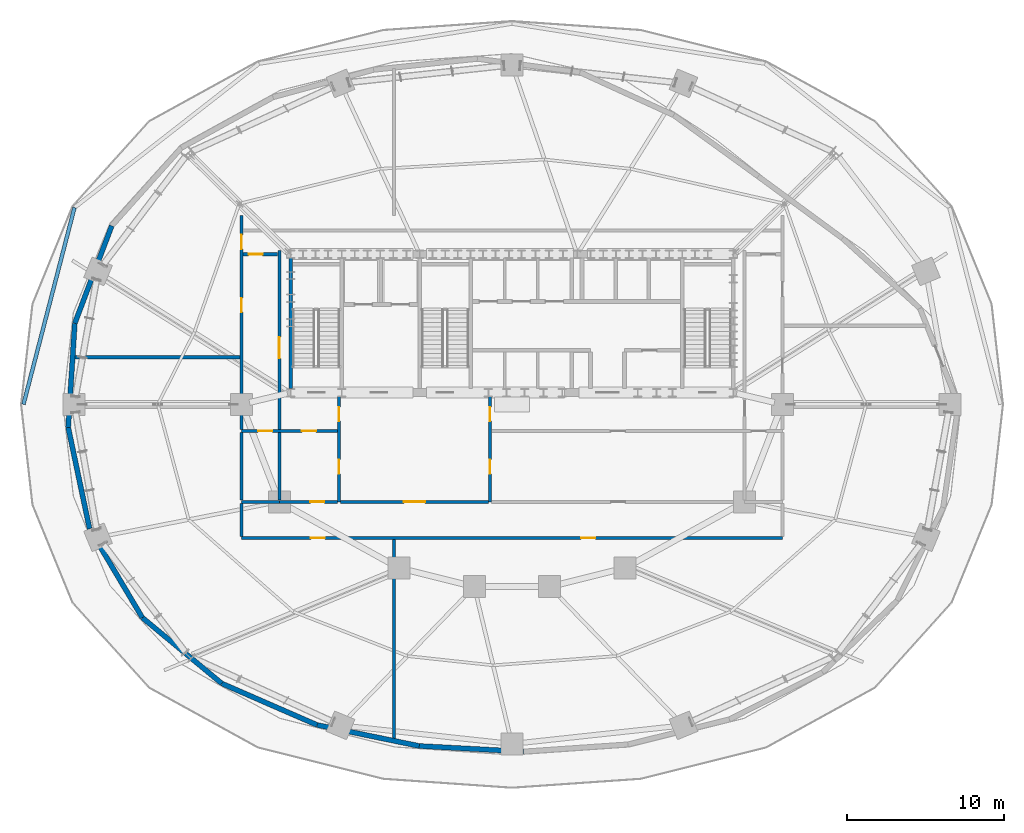
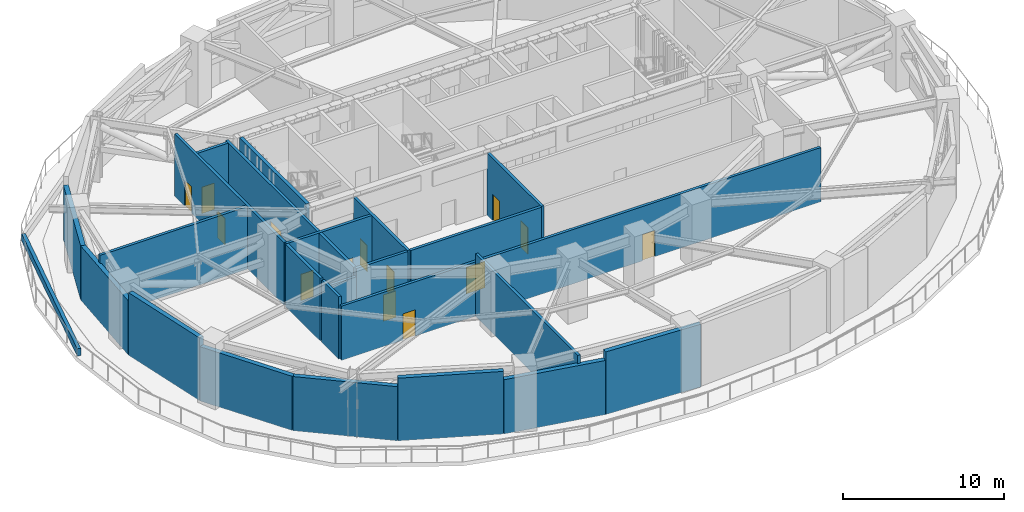
# One storey, part 14 of 18: 25 walls, 14 doors, 14 openings.
"""IFC4 building model written with IfcOpenShell, lengths in metres."""

import ifcopenshell
import ifcopenshell.guid

model = None  # the IFC model being written
_history = None  # IfcOwnerHistory: only IFC2X3 demands one
_inside = {}  # id of a spatial element -> (the spatial element, [elements in it])
_under = {}  # id of a project, library or spatial element -> (it, [spatial elements below it])
_declared = {}  # id of a project -> (the project, [libraries it declares])
_typed = {}  # id of a type object -> (the type object, [elements of that type])
_made_of = {}  # id of a material, layer set ... -> (it, [elements and type objects made of it])


def new_model(schema):
    """Start an empty IFC model of exactly this schema.

    Asked for "IFC4X3", IfcOpenShell would pick the latest addendum, in which some entities
    have other attributes; the version numbers below select the first issue.
    IFC2X3 requires an IfcOwnerHistory on every rooted entity: one is made here for all.
    """
    global model, _history
    if schema == "IFC4X3":
        model = ifcopenshell.file(schema_version=(4, 3, 0, 0))
    else:
        model = ifcopenshell.file(schema=schema)
    _inside.clear()
    _under.clear()
    _declared.clear()
    _typed.clear()
    _made_of.clear()
    _history = None
    if model.schema == "IFC2X3":
        org = make("IfcOrganization", Name="unknown")
        user = make(
            "IfcPersonAndOrganization",
            ThePerson=make("IfcPerson", FamilyName="unknown"),
            TheOrganization=org,
        )
        app = make(
            "IfcApplication",
            ApplicationDeveloper=org,
            Version="unknown",
            ApplicationFullName="unknown",
            ApplicationIdentifier="unknown",
        )
        _history = make(
            "IfcOwnerHistory",
            OwningUser=user,
            OwningApplication=app,
            ChangeAction="ADDED",
            CreationDate=0,
        )
    return model


def make(cls, **values):
    """One entity of the class cls with the attributes given. An attribute that is None is left unset."""
    return model.create_entity(
        cls, **{name: value for name, value in values.items() if value is not None}
    )


def rooted(cls, **values):
    """An entity with a GlobalId (a new one), such as an element, a storey or a relation."""
    return make(cls, GlobalId=ifcopenshell.guid.new(), OwnerHistory=_history, **values)


def si_unit(unit_type, name, prefix=None):
    """IfcSIUnit, for example si_unit("LENGTHUNIT", "METRE", prefix="MILLI")."""
    return make("IfcSIUnit", UnitType=unit_type, Prefix=prefix, Name=name)


def assignment(units):
    """IfcUnitAssignment: the units of a project."""
    return None if units is None else make("IfcUnitAssignment", Units=units)


def point(xyz):
    """IfcCartesianPoint."""
    return None if xyz is None else make("IfcCartesianPoint", Coordinates=xyz)


def direction(xyz):
    """IfcDirection."""
    return None if xyz is None else make("IfcDirection", DirectionRatios=xyz)


def frame(location, z_axis=None, x_axis=None):
    """IfcAxis2Placement3D, a coordinate frame: its origin and axes. An axis left out is left unset."""
    return make(
        "IfcAxis2Placement3D",
        Location=point(location),
        Axis=direction(z_axis),
        RefDirection=direction(x_axis),
    )


def frame_2d(location, x_axis=None):
    """IfcAxis2Placement2D, a coordinate frame in the plane: its origin and x axis."""
    return make(
        "IfcAxis2Placement2D", Location=point(location), RefDirection=direction(x_axis)
    )


def origin():
    """The frame at (0, 0, 0) with its axes left unset."""
    return frame((0.0, 0.0, 0.0))


def place(relative_to, where):
    """IfcLocalPlacement: puts the frame where relative to a parent placement (None: the world)."""
    return make(
        "IfcLocalPlacement", PlacementRelTo=relative_to, RelativePlacement=where
    )


def context(
    kind, dimensions, precision=None, world=None, true_north=None, identifier=None
):
    """IfcGeometricRepresentationContext, for example the 3D "Model" context."""
    return make(
        "IfcGeometricRepresentationContext",
        ContextIdentifier=identifier,
        ContextType=kind,
        CoordinateSpaceDimension=dimensions,
        Precision=precision,
        WorldCoordinateSystem=world,
        TrueNorth=true_north,
    )


def subcontext(parent, identifier, kind, view, scale=None):
    """IfcGeometricRepresentationSubContext, for example "Body" below "Model"."""
    return make(
        "IfcGeometricRepresentationSubContext",
        ContextIdentifier=identifier,
        ContextType=kind,
        ParentContext=parent,
        TargetScale=scale,
        TargetView=view,
    )


def project(units=None, contexts=None):
    """IfcProject with its units and contexts."""
    return rooted(
        "IfcProject",
        Name="project",
        RepresentationContexts=contexts,
        UnitsInContext=assignment(units),
    )


def spatial(cls, under=None, at=None, **own):
    """A site, building, storey or space (cls), placed at a placement, below another one or the project."""
    s = rooted(cls, ObjectPlacement=at, **own)
    if under is not None:
        _under.setdefault(under.id(), (under, []))[1].append(s)
    return s


def profile(cls, at=None, kind="AREA", **sizes):
    """A parametric profile (cls). Its sizes go by their IFC names, for example OverallWidth=200.0."""
    return make(cls, ProfileType=kind, Position=at, **sizes)


def rectangle(**sizes):
    """IfcRectangleProfileDef."""
    return profile("IfcRectangleProfileDef", **sizes)


def extrude(swept, where, along, depth):
    """IfcExtrudedAreaSolid: the profile swept, set in the frame where, extruded along a direction by depth."""
    return make(
        "IfcExtrudedAreaSolid",
        SweptArea=swept,
        Position=where,
        ExtrudedDirection=direction(along),
        Depth=depth,
    )


def shape(context_of_items, identifier, shape_type, items):
    """IfcShapeRepresentation: the items that make up one representation, for example the "Body"."""
    return make(
        "IfcShapeRepresentation",
        ContextOfItems=context_of_items,
        RepresentationIdentifier=identifier,
        RepresentationType=shape_type,
        Items=items,
    )


def material(Name=None, Category=None):
    """IfcMaterial."""
    return make("IfcMaterial", Name=Name, Category=Category)


def layer(
    of_material, thickness, ventilated=None, Name=None, Category=None, Priority=None
):
    """IfcMaterialLayer: one layer of a wall or slab, of a material (None: an air gap)."""
    return make(
        "IfcMaterialLayer",
        Material=of_material,
        LayerThickness=thickness,
        IsVentilated=ventilated,
        Name=Name,
        Category=Category,
        Priority=Priority,
    )


def layer_set(layers, Name=None):
    """IfcMaterialLayerSet."""
    return make("IfcMaterialLayerSet", MaterialLayers=layers, LayerSetName=Name)


def made_of(thing, what):
    """Note that an element or type object is made of a material, layer set ...; save() writes the relation."""
    if what is not None:
        _made_of.setdefault(what.id(), (what, []))[1].append(thing)
    return thing


def type_object(cls, material=None, **own):
    """A type object (cls), such as IfcWallType, which elements share."""
    return made_of(rooted(cls, **own), material)


def element(
    cls,
    number,
    at=None,
    inside=None,
    cuts=None,
    type_object=None,
    material=None,
    context=None,
    identifier="Body",
    shape_type=None,
    held_by="IfcProductDefinitionShape",
    body=None,
    shapes=None,
    **own,
):
    """One element of the class cls, such as IfcWall. Its Tag is "e" and its number.

    at: its placement. inside: the storey or other place that contains it. cuts: it is an
    opening in that element (IfcRelVoidsElement). A single representation is given by context,
    identifier, shape_type and body (its items); several are given by shapes. held_by: the class
    of the entity that holds the representations. save() writes the other relations.
    """
    e = rooted(cls, Tag="e%d" % number, ObjectPlacement=at, **own)
    if body is not None:
        shapes = [shape(context, identifier, shape_type, body)]
    if shapes is not None:
        e.Representation = make(held_by, Representations=shapes)
    if inside is not None:
        _inside.setdefault(inside.id(), (inside, []))[1].append(e)
    if cuts is not None:
        rooted(
            "IfcRelVoidsElement", RelatingBuildingElement=cuts, RelatedOpeningElement=e
        )
    if type_object is not None:
        _typed.setdefault(type_object.id(), (type_object, []))[1].append(e)
    return made_of(e, material)


def fill(opening, filler):
    """IfcRelFillsElement: the door or window that sits in an opening."""
    return rooted(
        "IfcRelFillsElement",
        RelatingOpeningElement=opening,
        RelatedBuildingElement=filler,
    )


def aggregate(whole, parts):
    """IfcRelAggregates: a whole, such as a stair, and the parts it consists of."""
    return rooted("IfcRelAggregates", RelatingObject=whole, RelatedObjects=parts)


def save(model, path):
    """Write the relations noted so far, then the file.

    IfcRelAggregates (storeys below a building ...), IfcRelContainedInSpatialStructure (elements
    in a storey), IfcRelDefinesByType, IfcRelAssociatesMaterial and IfcRelDeclares: one each for
    every whole, place, type object, material and project.
    """
    for whole, parts in _under.values():
        aggregate(whole, parts)
    for where, things in _inside.values():
        rooted(
            "IfcRelContainedInSpatialStructure",
            RelatedElements=things,
            RelatingStructure=where,
        )
    for kind, things in _typed.values():
        rooted("IfcRelDefinesByType", RelatedObjects=things, RelatingType=kind)
    for what, things in _made_of.values():
        rooted("IfcRelAssociatesMaterial", RelatedObjects=things, RelatingMaterial=what)
    for by, libraries in _declared.values():
        rooted("IfcRelDeclares", RelatingContext=by, RelatedDefinitions=libraries)
    model.write(path)


model = new_model("IFC4")

# Units and contexts
model_context = context("Model", 3, precision=1e-05, world=origin(), true_north=direction((0.0, 1.0)))
body_context = subcontext(model_context, "Body", "Model", "MODEL_VIEW")
ifc_project = project(units=[si_unit("LENGTHUNIT", "METRE"), si_unit("AREAUNIT", "SQUARE_METRE"), si_unit("VOLUMEUNIT", "CUBIC_METRE"), si_unit("PLANEANGLEUNIT", "RADIAN"), si_unit("MASSUNIT", "GRAM", prefix="KILO")], contexts=[model_context])

# Site, building, storey
site_placement = place(None, origin())
site = spatial("IfcSite", under=ifc_project, at=site_placement, CompositionType="ELEMENT")
building_placement = place(site_placement, origin())
building = spatial("IfcBuilding", under=site, at=building_placement, Name="Haldorwick Loom Tower", CompositionType="ELEMENT")
storey_placement = place(building_placement, frame((0.0, 0.0, 76.800048828125)))
storey = spatial("IfcBuildingStorey", under=building, at=storey_placement, Name="L20", CompositionType="ELEMENT", Elevation=76.800048828125)

# Walls
ifc_material_1 = material(Name="Pressed Clay Face Brick and Insulated Masonry Backup Assembly", Category="masonry")
ifc_layer_1 = layer(ifc_material_1, 0.320068359375, Name="Pressed Clay Face Brick and Insulated Masonry Backup Assembly", Category="masonry")
ifc_layer_set_1 = layer_set([ifc_layer_1], Name="Pressed Clay Face Brick and Insulated Masonry Backup Assembly")
wall_type_1 = type_object("IfcWallType", Name="ARC-WL-EXT320", PredefinedType="STANDARD", material=ifc_layer_set_1)
wall_1_placement = place(storey_placement, frame((10.5390625, 37.3603515625, 0.0), z_axis=(0.0, 0.0, 1.0), x_axis=(-0.354172963596, -0.935179935551, 0.0)))
element("IfcWall", 1, at=wall_1_placement, inside=storey, type_object=wall_type_1, Name="L20 Brick Pier and Spandrel Wall 11", PredefinedType="STANDARD", context=body_context, shape_type="SweptSolid", body=[
    extrude(rectangle(XDim=6.637451171875, YDim=0.320068359375, at=frame_2d((3.31884765625, 0.0))), origin(), (0.0, 0.0, 1.0), 4.118896484375),
])
wall_2_placement = place(storey_placement, frame((8.188232421875, 31.153076171875, 0.0), z_axis=(0.0, 0.0, 1.0), x_axis=(-0.063185180171, -0.998001820142, 0.0)))
element("IfcWall", 2, at=wall_2_placement, inside=storey, type_object=wall_type_1, Name="L20 Brick Pier and Spandrel Wall 12", PredefinedType="STANDARD", context=body_context, shape_type="SweptSolid", body=[
    extrude(rectangle(XDim=6.63037109375, YDim=0.320068359375, at=frame_2d((3.315185546875, 0.0))), origin(), (0.0, 0.0, 1.0), 4.118896484375),
])
wall_3_placement = place(storey_placement, frame((7.769287109375, 24.535888671875, 0.0), z_axis=(0.0, 0.0, 1.0), x_axis=(0.206394338067, -0.978468894352, 0.0)))
element("IfcWall", 3, at=wall_3_placement, inside=storey, type_object=wall_type_1, Name="L20 Brick Pier and Spandrel Wall 13", PredefinedType="STANDARD", context=body_context, shape_type="SweptSolid", body=[
    extrude(rectangle(XDim=6.602783203125, YDim=0.320068359375, at=frame_2d((3.30126953125, 0.0))), origin(), (0.0, 0.0, 1.0), 4.760009765625),
])
wall_4_placement = place(storey_placement, frame((9.132080078125, 18.0751953125, 0.0), z_axis=(0.0, 0.0, 1.0), x_axis=(0.510885960815, -0.85964849505, 0.0)))
element("IfcWall", 4, at=wall_4_placement, inside=storey, type_object=wall_type_1, Name="L20 Brick Pier and Spandrel Wall 14", PredefinedType="STANDARD", context=body_context, shape_type="SweptSolid", body=[
    extrude(rectangle(XDim=6.562744140625, YDim=0.320068359375, at=frame_2d((3.28125, 0.0))), origin(), (0.0, 0.0, 1.0), 4.118896484375),
])
wall_5_placement = place(storey_placement, frame((12.48486328125, 12.43359375, 0.0), z_axis=(0.0, 0.0, 1.0), x_axis=(0.770115987606, -0.637903884323, 0.0)))
element("IfcWall", 5, at=wall_5_placement, inside=storey, type_object=wall_type_1, Name="L20 Brick Pier and Spandrel Wall 15", PredefinedType="STANDARD", context=body_context, shape_type="SweptSolid", body=[
    extrude(rectangle(XDim=6.568359375, YDim=0.320068359375, at=frame_2d((3.2841796875, 0.0))), origin(), (0.0, 0.0, 1.0), 4.118896484375),
])
wall_6_placement = place(storey_placement, frame((17.543212890625, 8.24365234375, 0.0), z_axis=(0.0, 0.0, 1.0), x_axis=(0.916831962621, -0.399273280243, 0.0)))
element("IfcWall", 6, at=wall_6_placement, inside=storey, type_object=wall_type_1, Name="L20 Brick Pier and Spandrel Wall 16", PredefinedType="STANDARD", context=body_context, shape_type="SweptSolid", body=[
    extrude(rectangle(XDim=6.60693359375, YDim=0.320068359375, at=frame_2d((3.303466796875, 0.0))), origin(), (0.0, 0.0, 1.0), 4.760009765625),
])
wall_7_placement = place(storey_placement, frame((23.6005859375, 5.605712890625, 0.0), z_axis=(0.0, 0.0, 1.0), x_axis=(0.979446782517, -0.201702752132, 0.0)))
element("IfcWall", 7, at=wall_7_placement, inside=storey, type_object=wall_type_1, Name="L20 Brick Pier and Spandrel Wall 17", PredefinedType="STANDARD", context=body_context, shape_type="SweptSolid", body=[
    extrude(rectangle(XDim=6.635498046875, YDim=0.320068359375, at=frame_2d((3.31787109375, 0.0))), origin(), (0.0, 0.0, 1.0), 4.118896484375),
])
wall_8_placement = place(storey_placement, frame((30.099609375, 4.267333984375, 0.0), z_axis=(0.0, 0.0, 1.0), x_axis=(0.998573525371, -0.05339395497, 0.0)))
element("IfcWall", 8, at=wall_8_placement, inside=storey, type_object=wall_type_1, Name="L20 Brick Pier and Spandrel Wall 18", PredefinedType="STANDARD", context=body_context, shape_type="SweptSolid", body=[
    extrude(rectangle(XDim=6.643798828125, YDim=0.320068359375, at=frame_2d((3.32177734375, 0.0))), origin(), (0.0, 0.0, 1.0), 4.760009765625),
])

# Wall, openings, doors
ifc_material_2 = material(Name="Fire-Rated Type X Gypsum Stud Assembly EI 120")
ifc_layer_2 = layer(ifc_material_2, 0.199951171875, Name="Fire-Rated Type X Gypsum Stud Assembly EI 120")
ifc_layer_set_2 = layer_set([ifc_layer_2], Name="Fire-Rated Type X Gypsum Stud Assembly EI 120")
wall_type_2 = type_object("IfcWallType", Name="ARC-WL-FIRE200", PredefinedType="PARTITIONING", material=ifc_layer_set_2)
wall_9_placement = place(storey_placement, frame((25.0, 19.800048828125, 0.0), z_axis=(0.0, 0.0, 1.0), x_axis=(0.0, 1.0, 0.0)))
wall_9 = element("IfcWall", 9, at=wall_9_placement, inside=storey, type_object=wall_type_2, Name="L20 Interior Partition L20-REF-W", PredefinedType="PARTITIONING", context=body_context, shape_type="SweptSolid", body=[
    extrude(rectangle(XDim=6.697021484375, YDim=0.199951171875, at=frame_2d((3.3486328125, 0.0))), origin(), (0.0, 0.0, 1.0), 4.744873046875),
])
opening_1_placement = place(wall_9_placement, frame((5.130859375, 0.0, 0.0)))
opening_1 = element("IfcOpeningElement", 10, at=opening_1_placement, cuts=wall_9, Name="Opening D-FD60A", PredefinedType="OPENING", context=body_context, shape_type="SweptSolid", body=[
    extrude(rectangle(XDim=0.89990234375, YDim=2.0, at=frame_2d((0.449951171875, 1.0))), frame((0.0, 0.10986328125, 0.0), z_axis=(0.0, -1.0, 0.0), x_axis=(1.0, 0.0, 0.0)), (0.0, 0.0, 1.0), 0.219970703125),
])
opening_2_placement = place(wall_9_placement, frame((1.7822265625, 0.0, 0.0)))
opening_2 = element("IfcOpeningElement", 11, at=opening_2_placement, cuts=wall_9, Name="Opening D-FD60A", PredefinedType="OPENING", context=body_context, shape_type="SweptSolid", body=[
    extrude(rectangle(XDim=0.89990234375, YDim=2.0, at=frame_2d((0.449951171875, 1.0))), frame((0.0, 0.10986328125, 0.0), z_axis=(0.0, -1.0, 0.0), x_axis=(1.0, 0.0, 0.0)), (0.0, 0.0, 1.0), 0.219970703125),
])
ifc_material_3 = material(Name="Hollow Steel Fire Door Assembly", Category="steel")
door_type_1 = type_object("IfcDoorType", Name="ARC-DR-FD60-90", OperationType="NOTDEFINED", PredefinedType="DOOR", material=ifc_material_3)
door_1_placement = place(opening_1_placement, origin())
door_1 = element("IfcDoor", 12, at=door_1_placement, inside=storey, type_object=door_type_1, Name="L20 West Refuge Vestibule to Area of Refuge Door", OperationType="SINGLE_SWING_RIGHT", OverallHeight=2.0, OverallWidth=0.89990234375, PredefinedType="DOOR", context=body_context, shape_type="SweptSolid", body=[
    extrude(rectangle(XDim=0.89990234375, YDim=2.0, at=frame_2d((0.449951171875, 1.0))), frame((0.0, 0.02490234375, 0.0), z_axis=(0.0, -1.0, 0.0), x_axis=(1.0, 0.0, 0.0)), (0.0, 0.0, 1.0), 0.050048828125),
])
fill(opening_1, door_1)
door_2_placement = place(opening_2_placement, frame((0.89990234375, 0.0, 0.0), z_axis=(0.0, 0.0, 1.0), x_axis=(-1.0, 0.0, 0.0)))
door_2 = element("IfcDoor", 13, at=door_2_placement, inside=storey, type_object=door_type_1, Name="L20 Mechanical Equipment Plant 5 to Area of Refuge Door", OperationType="SINGLE_SWING_RIGHT", OverallHeight=2.0, OverallWidth=0.89990234375, PredefinedType="DOOR", context=body_context, shape_type="SweptSolid", body=[
    extrude(rectangle(XDim=0.89990234375, YDim=2.0, at=frame_2d((0.449951171875, 1.0))), frame((0.0, 0.02490234375, 0.0), z_axis=(0.0, -1.0, 0.0), x_axis=(1.0, 0.0, 0.0)), (0.0, 0.0, 1.0), 0.050048828125),
])
fill(opening_2, door_2)

wall_10_placement = place(storey_placement, frame((34.60009765625, 19.800048828125, 0.0), z_axis=(0.0, 0.0, 1.0), x_axis=(0.0, 1.0, 0.0)))
wall_10 = element("IfcWall", 14, at=wall_10_placement, inside=storey, type_object=wall_type_2, Name="L20 Interior Partition L20-REF-E", PredefinedType="PARTITIONING", context=body_context, shape_type="SweptSolid", body=[
    extrude(rectangle(XDim=6.697021484375, YDim=0.199951171875, at=frame_2d((3.3486328125, 0.0))), origin(), (0.0, 0.0, 1.0), 4.744873046875),
])
opening_3_placement = place(wall_10_placement, frame((5.130859375, 0.0, 0.0)))
opening_3 = element("IfcOpeningElement", 15, at=opening_3_placement, cuts=wall_10, Name="Opening D-FD60A", PredefinedType="OPENING", context=body_context, shape_type="SweptSolid", body=[
    extrude(rectangle(XDim=0.89990234375, YDim=2.0, at=frame_2d((0.449951171875, 1.0))), frame((0.0, 0.10986328125, 0.0), z_axis=(0.0, -1.0, 0.0), x_axis=(1.0, 0.0, 0.0)), (0.0, 0.0, 1.0), 0.219970703125),
])
opening_4_placement = place(wall_10_placement, frame((1.7822265625, 0.0, 0.0)))
opening_4 = element("IfcOpeningElement", 16, at=opening_4_placement, cuts=wall_10, Name="Opening D-FD60A", PredefinedType="OPENING", context=body_context, shape_type="SweptSolid", body=[
    extrude(rectangle(XDim=0.89990234375, YDim=2.0, at=frame_2d((0.449951171875, 1.0))), frame((0.0, 0.10986328125, 0.0), z_axis=(0.0, -1.0, 0.0), x_axis=(1.0, 0.0, 0.0)), (0.0, 0.0, 1.0), 0.219970703125),
])
door_3_placement = place(opening_3_placement, origin())
door_3 = element("IfcDoor", 17, at=door_3_placement, inside=storey, type_object=door_type_1, Name="L20 Area of Refuge to East Plant Exit Corridor Door", OperationType="SINGLE_SWING_LEFT", OverallHeight=2.0, OverallWidth=0.89990234375, PredefinedType="DOOR", context=body_context, shape_type="SweptSolid", body=[
    extrude(rectangle(XDim=0.89990234375, YDim=2.0, at=frame_2d((0.449951171875, 1.0))), frame((0.0, 0.02490234375, 0.0), z_axis=(0.0, -1.0, 0.0), x_axis=(1.0, 0.0, 0.0)), (0.0, 0.0, 1.0), 0.050048828125),
])
fill(opening_3, door_3)
door_4_placement = place(opening_4_placement, origin())
door_4 = element("IfcDoor", 18, at=door_4_placement, inside=storey, type_object=door_type_1, Name="L20 Area of Refuge to Electrical Transformer Room 6 Door", OperationType="SINGLE_SWING_LEFT", OverallHeight=2.0, OverallWidth=0.89990234375, PredefinedType="DOOR", context=body_context, shape_type="SweptSolid", body=[
    extrude(rectangle(XDim=0.89990234375, YDim=2.0, at=frame_2d((0.449951171875, 1.0))), frame((0.0, 0.02490234375, 0.0), z_axis=(0.0, -1.0, 0.0), x_axis=(1.0, 0.0, 0.0)), (0.0, 0.0, 1.0), 0.050048828125),
])
fill(opening_4, door_4)

# Wall, opening, door
wall_11_placement = place(storey_placement, frame((25.10302734375, 19.800048828125, 0.0), z_axis=(0.0, 0.0, 1.0), x_axis=(1.0, 0.0, 0.0)))
wall_11 = element("IfcWall", 19, at=wall_11_placement, inside=storey, type_object=wall_type_2, Name="L20 Interior Partition L20-REF-S", PredefinedType="PARTITIONING", context=body_context, shape_type="SweptSolid", body=[
    extrude(rectangle(XDim=9.39404296875, YDim=0.199951171875, at=frame_2d((4.697021484375, 0.0))), origin(), (0.0, 0.0, 1.0), 4.744873046875),
])
opening_5_placement = place(wall_11_placement, frame((4.02197265625, 0.0, 0.0)))
opening_5 = element("IfcOpeningElement", 20, at=opening_5_placement, cuts=wall_11, Name="Opening D-CR15", PredefinedType="OPENING", context=body_context, shape_type="SweptSolid", body=[
    extrude(rectangle(XDim=1.35009765625, YDim=2.0, at=frame_2d((0.675048828125, 1.0))), frame((0.0, 0.10986328125, 0.0), z_axis=(0.0, -1.0, 0.0), x_axis=(1.0, 0.0, 0.0)), (0.0, 0.0, 1.0), 0.219970703125),
])
ifc_material_4 = material(Name="Thermally Broken Anodized Aluminium and Tempered Glass", Category="aluminium")
door_type_2 = type_object("IfcDoorType", Name="ARC-DR-COR150", OperationType="NOTDEFINED", PredefinedType="DOOR", material=ifc_material_4)
door_5_placement = place(opening_5_placement, origin())
door_5 = element("IfcDoor", 21, at=door_5_placement, inside=storey, type_object=door_type_2, Name="L20 Area of Refuge to South Plant Service Corridor Door", OperationType="DOUBLE_DOOR_SINGLE_SWING", OverallHeight=2.0, OverallWidth=1.35009765625, PredefinedType="DOOR", context=body_context, shape_type="SweptSolid", body=[
    extrude(rectangle(XDim=1.35009765625, YDim=2.0, at=frame_2d((0.675048828125, 1.0))), frame((0.0, 0.02490234375, 0.0), z_axis=(0.0, -1.0, 0.0), x_axis=(1.0, 0.0, 0.0)), (0.0, 0.0, 1.0), 0.050048828125),
])
fill(opening_5, door_5)

# Wall, openings, doors
wall_12_placement = place(storey_placement, frame((18.800048828125, 17.5, 0.0), z_axis=(0.0, 0.0, 1.0), x_axis=(1.0, 0.0, 0.0)))
wall_12 = element("IfcWall", 22, at=wall_12_placement, inside=storey, type_object=wall_type_2, Name="L20 Interior Partition L20-PC-S1", PredefinedType="PARTITIONING", context=body_context, shape_type="SweptSolid", body=[
    extrude(rectangle(XDim=34.39990234375, YDim=0.199951171875, at=frame_2d((17.199951171875, 0.0))), origin(), (0.0, 0.0, 1.0), 4.117919921875),
])
opening_6_placement = place(wall_12_placement, frame((21.601318359375, 0.0, 0.0)))
opening_6 = element("IfcOpeningElement", 23, at=opening_6_placement, cuts=wall_12, Name="Opening D-FD60A", PredefinedType="OPENING", context=body_context, shape_type="SweptSolid", body=[
    extrude(rectangle(XDim=0.89990234375, YDim=2.0, at=frame_2d((0.449951171875, 1.0))), frame((0.0, 0.10986328125, 0.0), z_axis=(0.0, -1.0, 0.0), x_axis=(1.0, 0.0, 0.0)), (0.0, 0.0, 1.0), 0.219970703125),
])
opening_7_placement = place(wall_12_placement, frame((4.4013671875, 0.0, 0.0)))
opening_7 = element("IfcOpeningElement", 24, at=opening_7_placement, cuts=wall_12, Name="Opening D-FD60A", PredefinedType="OPENING", context=body_context, shape_type="SweptSolid", body=[
    extrude(rectangle(XDim=0.89990234375, YDim=2.0, at=frame_2d((0.449951171875, 1.0))), frame((0.0, 0.10986328125, 0.0), z_axis=(0.0, -1.0, 0.0), x_axis=(1.0, 0.0, 0.0)), (0.0, 0.0, 1.0), 0.219970703125),
])
door_6_placement = place(opening_6_placement, origin())
door_6 = element("IfcDoor", 25, at=door_6_placement, inside=storey, type_object=door_type_1, Name="L20 South Plant Service Corridor to Air Handling Ventilation Plant Door", OperationType="SINGLE_SWING_RIGHT", OverallHeight=2.0, OverallWidth=0.89990234375, PredefinedType="DOOR", context=body_context, shape_type="SweptSolid", body=[
    extrude(rectangle(XDim=0.89990234375, YDim=2.0, at=frame_2d((0.449951171875, 1.0))), frame((0.0, 0.02490234375, 0.0), z_axis=(0.0, -1.0, 0.0), x_axis=(1.0, 0.0, 0.0)), (0.0, 0.0, 1.0), 0.050048828125),
])
fill(opening_6, door_6)
door_7_placement = place(opening_7_placement, origin())
door_7 = element("IfcDoor", 26, at=door_7_placement, inside=storey, type_object=door_type_1, Name="L20 South Plant Service Corridor to Domestic Water Booster and Fire Pump", OperationType="SINGLE_SWING_LEFT", OverallHeight=2.0, OverallWidth=0.89990234375, PredefinedType="DOOR", context=body_context, shape_type="SweptSolid", body=[
    extrude(rectangle(XDim=0.89990234375, YDim=2.0, at=frame_2d((0.449951171875, 1.0))), frame((0.0, 0.02490234375, 0.0), z_axis=(0.0, -1.0, 0.0), x_axis=(1.0, 0.0, 0.0)), (0.0, 0.0, 1.0), 0.050048828125),
])
fill(opening_7, door_7)

wall_13_placement = place(storey_placement, frame((18.800048828125, 24.300048828125, 0.0), z_axis=(0.0, 0.0, 1.0), x_axis=(1.0, 0.0, 0.0)))
wall_13 = element("IfcWall", 27, at=wall_13_placement, inside=storey, type_object=wall_type_2, Name="L20 Interior Partition L20-PC-S3", PredefinedType="PARTITIONING", context=body_context, shape_type="SweptSolid", body=[
    extrude(rectangle(XDim=6.096923828125, YDim=0.199951171875, at=frame_2d((3.04833984375, 0.0))), origin(), (0.0, 0.0, 1.0), 4.744873046875),
])
opening_8_placement = place(wall_13_placement, frame((3.840576171875, 0.0, 0.0)))
opening_8 = element("IfcOpeningElement", 28, at=opening_8_placement, cuts=wall_13, Name="Opening D-FD60A", PredefinedType="OPENING", context=body_context, shape_type="SweptSolid", body=[
    extrude(rectangle(XDim=0.89990234375, YDim=2.0, at=frame_2d((0.449951171875, 1.0))), frame((0.0, 0.10986328125, 0.0), z_axis=(0.0, -1.0, 0.0), x_axis=(1.0, 0.0, 0.0)), (0.0, 0.0, 1.0), 0.219970703125),
])
opening_9_placement = place(wall_13_placement, frame((1.058837890625, 0.0, 0.0)))
opening_9 = element("IfcOpeningElement", 29, at=opening_9_placement, cuts=wall_13, Name="Opening D-FD60A", PredefinedType="OPENING", context=body_context, shape_type="SweptSolid", body=[
    extrude(rectangle(XDim=0.89990234375, YDim=2.0, at=frame_2d((0.449951171875, 1.0))), frame((0.0, 0.10986328125, 0.0), z_axis=(0.0, -1.0, 0.0), x_axis=(1.0, 0.0, 0.0)), (0.0, 0.0, 1.0), 0.219970703125),
])
door_8_placement = place(opening_8_placement, origin())
door_8 = element("IfcDoor", 30, at=door_8_placement, inside=storey, type_object=door_type_1, Name="L20 West Refuge Vestibule to Mechanical Equipment Plant 5 Door", OperationType="SINGLE_SWING_RIGHT", OverallHeight=2.0, OverallWidth=0.89990234375, PredefinedType="DOOR", context=body_context, shape_type="SweptSolid", body=[
    extrude(rectangle(XDim=0.89990234375, YDim=2.0, at=frame_2d((0.449951171875, 1.0))), frame((0.0, 0.02490234375, 0.0), z_axis=(0.0, -1.0, 0.0), x_axis=(1.0, 0.0, 0.0)), (0.0, 0.0, 1.0), 0.050048828125),
])
fill(opening_8, door_8)
door_9_placement = place(opening_9_placement, origin())
door_9 = element("IfcDoor", 31, at=door_9_placement, inside=storey, type_object=door_type_1, Name="L20 West Mechanical Corridor to Ventilation Fan Room 4 Door", OperationType="SINGLE_SWING_LEFT", OverallHeight=2.0, OverallWidth=0.89990234375, PredefinedType="DOOR", context=body_context, shape_type="SweptSolid", body=[
    extrude(rectangle(XDim=0.89990234375, YDim=2.0, at=frame_2d((0.449951171875, 1.0))), frame((0.0, 0.02490234375, 0.0), z_axis=(0.0, -1.0, 0.0), x_axis=(1.0, 0.0, 0.0)), (0.0, 0.0, 1.0), 0.050048828125),
])
fill(opening_9, door_9)

# Wall
wall_14_placement = place(storey_placement, frame((18.800048828125, 19.800048828125, 0.0), z_axis=(0.0, 0.0, 1.0), x_axis=(1.0, 0.0, 0.0)))
element("IfcWall", 32, at=wall_14_placement, inside=storey, type_object=wall_type_2, Name="L20 Interior Partition L20-PC-S4W", PredefinedType="PARTITIONING", context=body_context, shape_type="SweptSolid", body=[
    extrude(rectangle(XDim=2.39990234375, YDim=0.199951171875, at=frame_2d((1.199951171875, 0.0))), origin(), (0.0, 0.0, 1.0), 4.117919921875),
])

# Wall, opening, door
wall_15_placement = place(storey_placement, frame((21.199951171875, 19.800048828125, 0.0), z_axis=(0.0, 0.0, 1.0), x_axis=(1.0, 0.0, 0.0)))
wall_15 = element("IfcWall", 33, at=wall_15_placement, inside=storey, type_object=wall_type_2, Name="L20 Interior Partition L20-PC-S5", PredefinedType="PARTITIONING", context=body_context, shape_type="SweptSolid", body=[
    extrude(rectangle(XDim=3.697021484375, YDim=0.199951171875, at=frame_2d((1.8486328125, 0.0))), origin(), (0.0, 0.0, 1.0), 4.744873046875),
])
opening_10_placement = place(wall_15_placement, frame((1.97314453125, 0.0, 0.0)))
opening_10 = element("IfcOpeningElement", 34, at=opening_10_placement, cuts=wall_15, Name="Opening D-FD60A", PredefinedType="OPENING", context=body_context, shape_type="SweptSolid", body=[
    extrude(rectangle(XDim=0.89990234375, YDim=2.0, at=frame_2d((0.449951171875, 1.0))), frame((0.0, 0.10986328125, 0.0), z_axis=(0.0, -1.0, 0.0), x_axis=(1.0, 0.0, 0.0)), (0.0, 0.0, 1.0), 0.219970703125),
])
door_10_placement = place(opening_10_placement, frame((0.89990234375, 0.0, 0.0), z_axis=(0.0, 0.0, 1.0), x_axis=(-1.0, 0.0, 0.0)))
door_10 = element("IfcDoor", 35, at=door_10_placement, inside=storey, type_object=door_type_1, Name="L20 Mechanical Equipment Plant 5 to South Plant Service Corridor Door", OperationType="SINGLE_SWING_LEFT", OverallHeight=2.0, OverallWidth=0.89990234375, PredefinedType="DOOR", context=body_context, shape_type="SweptSolid", body=[
    extrude(rectangle(XDim=0.89990234375, YDim=2.0, at=frame_2d((0.449951171875, 1.0))), frame((0.0, 0.02490234375, 0.0), z_axis=(0.0, -1.0, 0.0), x_axis=(1.0, 0.0, 0.0)), (0.0, 0.0, 1.0), 0.050048828125),
])
fill(opening_10, door_10)

# Walls
wall_16_placement = place(storey_placement, frame((18.800048828125, 17.60302734375, 0.0), z_axis=(0.0, 0.0, 1.0), x_axis=(0.0, 1.0, 0.0)))
element("IfcWall", 36, at=wall_16_placement, inside=storey, type_object=wall_type_2, Name="L20 Interior Partition L20-PC-W1", PredefinedType="PARTITIONING", context=body_context, shape_type="SweptSolid", body=[
    extrude(rectangle(XDim=2.093994140625, YDim=0.199951171875, at=frame_2d((1.046875, 0.0))), origin(), (0.0, 0.0, 1.0), 4.744873046875),
])
wall_17_placement = place(storey_placement, frame((18.800048828125, 19.903076171875, 0.0), z_axis=(0.0, 0.0, 1.0), x_axis=(0.0, 1.0, 0.0)))
element("IfcWall", 37, at=wall_17_placement, inside=storey, type_object=wall_type_2, Name="L20 Interior Partition L20-PC-W1", PredefinedType="PARTITIONING", context=body_context, shape_type="SweptSolid", body=[
    extrude(rectangle(XDim=4.2939453125, YDim=0.199951171875, at=frame_2d((2.14697265625, 0.0))), origin(), (0.0, 0.0, 1.0), 4.744873046875),
])

# Wall, openings, doors
wall_18_placement = place(storey_placement, frame((18.800048828125, 24.403076171875, 0.0), z_axis=(0.0, 0.0, 1.0), x_axis=(0.0, 1.0, 0.0)))
wall_18 = element("IfcWall", 38, at=wall_18_placement, inside=storey, type_object=wall_type_2, Name="L20 Interior Partition L20-PC-W1", PredefinedType="PARTITIONING", context=body_context, shape_type="SweptSolid", body=[
    extrude(rectangle(XDim=13.596923828125, YDim=0.199951171875, at=frame_2d((6.79833984375, 0.0))), origin(), (0.0, 0.0, 1.0), 4.744873046875),
])
opening_11_placement = place(wall_18_placement, frame((7.462890625, 0.0, 0.0)))
opening_11 = element("IfcOpeningElement", 39, at=opening_11_placement, cuts=wall_18, Name="Opening D-FD60A", PredefinedType="OPENING", context=body_context, shape_type="SweptSolid", body=[
    extrude(rectangle(XDim=0.89990234375, YDim=2.0, at=frame_2d((0.449951171875, 1.0))), frame((0.0, 0.10986328125, 0.0), z_axis=(0.0, -1.0, 0.0), x_axis=(1.0, 0.0, 0.0)), (0.0, 0.0, 1.0), 0.219970703125),
])
opening_12_placement = place(wall_18_placement, frame((11.47509765625, 0.0, 0.0)))
opening_12 = element("IfcOpeningElement", 40, at=opening_12_placement, cuts=wall_18, Name="Opening D-FD60A", PredefinedType="OPENING", context=body_context, shape_type="SweptSolid", body=[
    extrude(rectangle(XDim=0.89990234375, YDim=2.0, at=frame_2d((0.449951171875, 1.0))), frame((0.0, 0.10986328125, 0.0), z_axis=(0.0, -1.0, 0.0), x_axis=(1.0, 0.0, 0.0)), (0.0, 0.0, 1.0), 0.219970703125),
])
door_11_placement = place(opening_11_placement, origin())
door_11 = element("IfcDoor", 41, at=door_11_placement, inside=storey, type_object=door_type_1, Name="L20 Emergency Power Transformer Plant to West Mechanical Corridor Door", OperationType="SINGLE_SWING_RIGHT", OverallHeight=2.0, OverallWidth=0.89990234375, PredefinedType="DOOR", context=body_context, shape_type="SweptSolid", body=[
    extrude(rectangle(XDim=0.89990234375, YDim=2.0, at=frame_2d((0.449951171875, 1.0))), frame((0.0, 0.02490234375, 0.0), z_axis=(0.0, -1.0, 0.0), x_axis=(1.0, 0.0, 0.0)), (0.0, 0.0, 1.0), 0.050048828125),
])
fill(opening_11, door_11)
door_12_placement = place(opening_12_placement, frame((0.89990234375, 0.0, 0.0), z_axis=(0.0, 0.0, 1.0), x_axis=(-1.0, 0.0, 0.0)))
door_12 = element("IfcDoor", 42, at=door_12_placement, inside=storey, type_object=door_type_1, Name="L20 Emergency Power Transformer Plant to North Mechanical Corridor Door", OperationType="SINGLE_SWING_LEFT", OverallHeight=2.0, OverallWidth=0.89990234375, PredefinedType="DOOR", context=body_context, shape_type="SweptSolid", body=[
    extrude(rectangle(XDim=0.89990234375, YDim=2.0, at=frame_2d((0.449951171875, 1.0))), frame((0.0, 0.02490234375, 0.0), z_axis=(0.0, -1.0, 0.0), x_axis=(1.0, 0.0, 0.0)), (0.0, 0.0, 1.0), 0.050048828125),
])
fill(opening_12, door_12)

# Wall
wall_19_placement = place(storey_placement, frame((21.199951171875, 19.903076171875, 0.0), z_axis=(0.0, 0.0, 1.0), x_axis=(0.0, 1.0, 0.0)))
element("IfcWall", 43, at=wall_19_placement, inside=storey, type_object=wall_type_2, Name="L20 Interior Partition L20-PC-W2", PredefinedType="PARTITIONING", context=body_context, shape_type="SweptSolid", body=[
    extrude(rectangle(XDim=4.2939453125, YDim=0.199951171875, at=frame_2d((2.14697265625, 0.0))), origin(), (0.0, 0.0, 1.0), 4.744873046875),
])

# Wall, opening, door
wall_20_placement = place(storey_placement, frame((21.199951171875, 24.403076171875, 0.0), z_axis=(0.0, 0.0, 1.0), x_axis=(0.0, 1.0, 0.0)))
wall_20 = element("IfcWall", 44, at=wall_20_placement, inside=storey, type_object=wall_type_2, Name="L20 Interior Partition L20-PC-W2", PredefinedType="PARTITIONING", context=body_context, shape_type="SweptSolid", body=[
    extrude(rectangle(XDim=11.39697265625, YDim=0.199951171875, at=frame_2d((5.698486328125, 0.0))), origin(), (0.0, 0.0, 1.0), 4.744873046875),
])
opening_13_placement = place(wall_20_placement, frame((4.529296875, 0.0, 0.0)))
opening_13 = element("IfcOpeningElement", 45, at=opening_13_placement, cuts=wall_20, Name="Opening D-CR15", PredefinedType="OPENING", context=body_context, shape_type="SweptSolid", body=[
    extrude(rectangle(XDim=1.35009765625, YDim=2.0, at=frame_2d((0.675048828125, 1.0))), frame((0.0, 0.10986328125, 0.0), z_axis=(0.0, -1.0, 0.0), x_axis=(1.0, 0.0, 0.0)), (0.0, 0.0, 1.0), 0.219970703125),
])
door_13_placement = place(opening_13_placement, origin())
door_13 = element("IfcDoor", 46, at=door_13_placement, inside=storey, type_object=door_type_2, Name="L20 West Mechanical Corridor to West Refuge Vestibule Door", OperationType="DOUBLE_DOOR_SINGLE_SWING", OverallHeight=2.0, OverallWidth=1.35009765625, PredefinedType="DOOR", context=body_context, shape_type="SweptSolid", body=[
    extrude(rectangle(XDim=1.35009765625, YDim=2.0, at=frame_2d((0.675048828125, 1.0))), frame((0.0, 0.02490234375, 0.0), z_axis=(0.0, -1.0, 0.0), x_axis=(1.0, 0.0, 0.0)), (0.0, 0.0, 1.0), 0.050048828125),
])
fill(opening_13, door_13)

wall_21_placement = place(storey_placement, frame((18.903076171875, 35.550048828125, 0.0), z_axis=(0.0, 0.0, 1.0), x_axis=(1.0, 0.0, 0.0)))
wall_21 = element("IfcWall", 47, at=wall_21_placement, inside=storey, type_object=wall_type_2, Name="L20 Interior Partition L20-PC-WN", PredefinedType="PARTITIONING", context=body_context, shape_type="SweptSolid", body=[
    extrude(rectangle(XDim=2.19384765625, YDim=0.199951171875, at=frame_2d((1.096923828125, 0.0))), origin(), (0.0, 0.0, 1.0), 4.744873046875),
])
opening_14_placement = place(wall_21_placement, frame((0.340087890625, 0.0, 0.0)))
opening_14 = element("IfcOpeningElement", 48, at=opening_14_placement, cuts=wall_21, Name="Opening D-FD60A", PredefinedType="OPENING", context=body_context, shape_type="SweptSolid", body=[
    extrude(rectangle(XDim=0.89990234375, YDim=2.0, at=frame_2d((0.449951171875, 1.0))), frame((0.0, 0.10986328125, 0.0), z_axis=(0.0, -1.0, 0.0), x_axis=(1.0, 0.0, 0.0)), (0.0, 0.0, 1.0), 0.219970703125),
])
door_14_placement = place(opening_14_placement, origin())
door_14 = element("IfcDoor", 49, at=door_14_placement, inside=storey, type_object=door_type_1, Name="L20 North Mechanical Corridor to West Mechanical Corridor Door", OperationType="SINGLE_SWING_RIGHT", OverallHeight=2.0, OverallWidth=0.89990234375, PredefinedType="DOOR", context=body_context, shape_type="SweptSolid", body=[
    extrude(rectangle(XDim=0.89990234375, YDim=2.0, at=frame_2d((0.449951171875, 1.0))), frame((0.0, 0.02490234375, 0.0), z_axis=(0.0, -1.0, 0.0), x_axis=(1.0, 0.0, 0.0)), (0.0, 0.0, 1.0), 0.050048828125),
])
fill(opening_14, door_14)

# Walls
wall_22_placement = place(storey_placement, frame((28.5, 4.6630859375, 0.0), z_axis=(0.0, 0.0, 1.0), x_axis=(0.0, 1.0, 0.0)))
element("IfcWall", 50, at=wall_22_placement, inside=storey, type_object=wall_type_2, Name="L20 Interior Partition L20-PL-S", PredefinedType="PARTITIONING", context=body_context, shape_type="SweptSolid", body=[
    extrude(rectangle(XDim=12.73388671875, YDim=0.199951171875, at=frame_2d((6.366943359375, 0.0))), origin(), (0.0, 0.0, 1.0), 4.744873046875),
])
wall_23_placement = place(storey_placement, frame((8.1171875, 29.0, 0.0), z_axis=(0.0, 0.0, 1.0), x_axis=(1.0, 0.0, 0.0)))
element("IfcWall", 51, at=wall_23_placement, inside=storey, type_object=wall_type_2, Name="L20 Interior Partition L20-PL-W", PredefinedType="PARTITIONING", context=body_context, shape_type="SweptSolid", body=[
    extrude(rectangle(XDim=10.579833984375, YDim=0.199951171875, at=frame_2d((5.2900390625, 0.0))), origin(), (0.0, 0.0, 1.0), 4.744873046875),
])
ifc_layer_3 = layer(ifc_material_1, 0.239990234375, Name="Pressed Clay Face Brick and Insulated Masonry Backup Assembly", Category="masonry")
ifc_layer_set_3 = layer_set([ifc_layer_3], Name="Pressed Clay Face Brick and Insulated Masonry Backup Assembly")
wall_type_3 = type_object("IfcWallType", Name="ARC-WL-PARAPET240", PredefinedType="PARAPET", material=ifc_layer_set_3)
wall_24_placement = place(storey_placement, frame((4.925537109375, 26.0, 0.0), z_axis=(0.0, 0.0, 1.0), x_axis=(0.250979192362, 0.967992481893, 0.0)))
element("IfcWall", 52, at=wall_24_placement, inside=storey, type_object=wall_type_3, Name="L20 Terrace Masonry Parapet 1", PredefinedType="PARAPET", context=body_context, shape_type="SweptSolid", body=[
    extrude(rectangle(XDim=12.932861328125, YDim=0.239990234375, at=frame_2d((6.46630859375, 0.0))), origin(), (0.0, 0.0, 1.0), 0.550048828125),
])
ifc_material_5 = material(Name="Concrete C50 (50 MPa)", Category="concrete")
ifc_layer_4 = layer(ifc_material_5, 0.239990234375, Name="Concrete C50 (50 MPa)", Category="concrete")
ifc_layer_set_4 = layer_set([ifc_layer_4], Name="Concrete C50 (50 MPa)")
wall_type_4 = type_object("IfcWallType", Name="STR-WL-SHAFT240", PredefinedType="SHEAR", material=ifc_layer_set_4)
wall_25_placement = place(storey_placement, frame((21.929931640625, 35.297119140625, 0.0), z_axis=(0.0, 0.0, 1.0), x_axis=(0.0, -1.0, 0.0)))
element("IfcWall", 53, at=wall_25_placement, inside=storey, type_object=wall_type_4, Name="L20 Core Shear Wall W", PredefinedType="SHEAR", context=body_context, shape_type="SweptSolid", body=[
    extrude(rectangle(XDim=8.294189453125, YDim=0.239990234375, at=frame_2d((4.14697265625, 0.0))), origin(), (0.0, 0.0, 1.0), 5.0),
])

save(model, "model.ifc")
